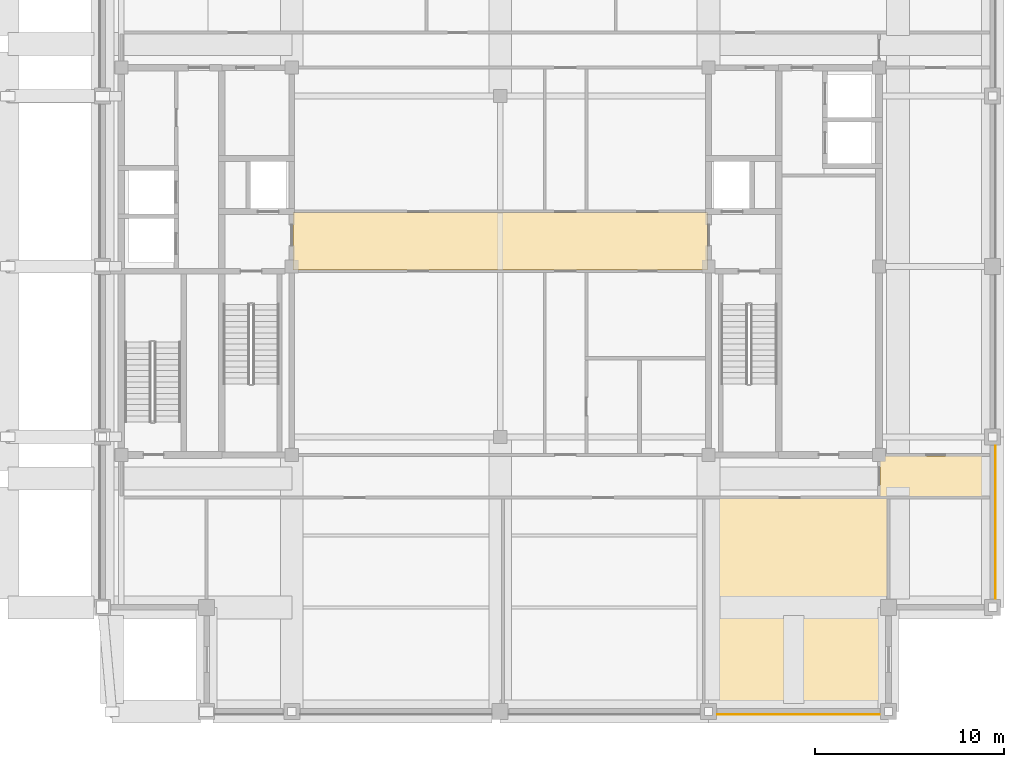
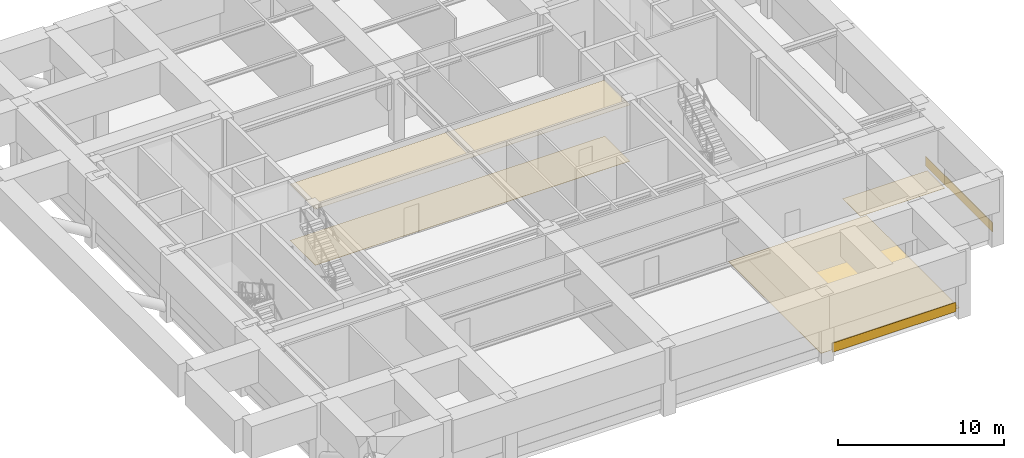
# One storey, part 9 of 11: 6 coverings.
"""IFC4 building model written with IfcOpenShell, lengths in metres."""

from ifc_helpers import new_model, si_unit, direction, frame, frame_2d, origin, place, context, subcontext, project, spatial, polyline, rectangle, outline, extrude, material, layer, layer_set, type_object, element, save


model = new_model("IFC4")

# Units and contexts
model_context = context("Model", 3, precision=1e-05, world=origin(), true_north=direction((0.0, 1.0)))
body_context = subcontext(model_context, "Body", "Model", "MODEL_VIEW")
ifc_project = project(units=[si_unit("LENGTHUNIT", "METRE"), si_unit("AREAUNIT", "SQUARE_METRE"), si_unit("VOLUMEUNIT", "CUBIC_METRE"), si_unit("PLANEANGLEUNIT", "RADIAN"), si_unit("MASSUNIT", "GRAM", prefix="KILO")], contexts=[model_context])

# Site, building, storey
site_placement = place(None, origin())
site = spatial("IfcSite", under=ifc_project, at=site_placement, CompositionType="ELEMENT")
building_placement = place(site_placement, origin())
building = spatial("IfcBuilding", under=site, at=building_placement, Name="Zulmaris Gate Convention Tower", CompositionType="ELEMENT")
storey_placement = place(building_placement, frame((0.0, 0.0, 249.429931640625)))
storey = spatial("IfcBuildingStorey", under=building, at=storey_placement, Name="L66", CompositionType="ELEMENT", Elevation=249.429931640625)

# Coverings
ifc_material_1 = material(Name="Precast concrete C40/50", Category="concrete")
ifc_layer_1 = layer(ifc_material_1, 0.0400390625, Name="Precast concrete C40/50")
ifc_layer_set_1 = layer_set([ifc_layer_1], Name="Precast concrete C40/50")
covering_type_1 = type_object("IfcCoveringType", Name="CLAD-SPANDREL-PRECAST", PredefinedType="CLADDING", material=ifc_layer_set_1)
covering_1_placement = place(storey_placement, frame((11.455078125, -23.64990234375, 0.0), z_axis=(0.0, 0.0, 1.0), x_axis=(1.0, 0.0, 0.0)))
element("IfcCovering", 1, at=covering_1_placement, inside=storey, type_object=covering_type_1, Name="CLD-L66-S-3_0", PredefinedType="CLADDING", context=body_context, shape_type="SweptSolid", body=[
    extrude(rectangle(XDim=8.58984375, YDim=0.0400390625, at=frame_2d((4.294921875, 0.0))), origin(), (0.0, 0.0, 1.0), 0.679931640625),
])
covering_2_placement = place(storey_placement, frame((26.14990234375, -17.544921875, 0.0), z_axis=(0.0, 0.0, 1.0), x_axis=(0.0, 1.0, 0.0)))
element("IfcCovering", 2, at=covering_2_placement, inside=storey, type_object=covering_type_1, Name="CLD-L66-E-0_0", PredefinedType="CLADDING", context=body_context, shape_type="SweptSolid", body=[
    extrude(rectangle(XDim=8.08984375, YDim=0.0400390625, at=frame_2d((4.044921875, 0.0))), origin(), (0.0, 0.0, 1.0), 0.679931640625),
])
ifc_material_2 = material(Name="Mineral Fibre Acoustic Ceiling Tile")
ifc_layer_2 = layer(ifc_material_2, 0.02001953125, Name="Mineral Fibre Acoustic Ceiling Tile")
ifc_layer_set_2 = layer_set([ifc_layer_2], Name="Mineral Fibre Acoustic Ceiling Tile")
covering_type_2 = type_object("IfcCoveringType", Name="CLG-ACOUSTIC-600", PredefinedType="CEILING", material=ifc_layer_set_2)
covering_3_placement = place(storey_placement, frame((0.0, 0.0, 4.133056640625)))
element("IfcCovering", 3, at=covering_3_placement, inside=storey, type_object=covering_type_2, Name="CLG-L66-R25", PredefinedType="CEILING", context=body_context, shape_type="SweptSolid", body=[
    extrude(outline(polyline([(-10.93994140625, -0.18994140625), (10.93994140625, -0.18994140625), (10.93994140625, 2.840087890625), (-10.93994140625, 2.840087890625), (-10.93994140625, -0.18994140625)])), origin(), (0.0, 0.0, 1.0), 0.02001953125),
])
ifc_material_3 = material(Name="Woven Acoustic Wool Carpet Tile")
ifc_layer_3 = layer(ifc_material_3, 0.02001953125, Name="Woven Acoustic Wool Carpet Tile")
ifc_layer_set_3 = layer_set([ifc_layer_3], Name="Woven Acoustic Wool Carpet Tile")
covering_type_3 = type_object("IfcCoveringType", Name="FLR-CARPET-12", PredefinedType="FLOORING", material=ifc_layer_set_3)
covering_4_placement = place(storey_placement, origin())
element("IfcCovering", 4, at=covering_4_placement, inside=storey, type_object=covering_type_3, Name="FLR-L66-R25", PredefinedType="FLOORING", context=body_context, shape_type="SweptSolid", body=[
    extrude(outline(polyline([(-10.93994140625, -0.18994140625), (10.93994140625, -0.18994140625), (10.93994140625, 2.840087890625), (-10.93994140625, 2.840087890625), (-10.93994140625, -0.18994140625)])), origin(), (0.0, 0.0, 1.0), 0.02001953125),
])
covering_5_placement = place(storey_placement, origin())
element("IfcCovering", 5, at=covering_5_placement, inside=storey, type_object=covering_type_3, Name="FLR-L66-R33", PredefinedType="FLOORING", context=body_context, shape_type="SweptSolid", body=[
    extrude(outline(polyline([(10.81005859375, -23.43994140625), (20.43994140625, -23.43994140625), (20.43994140625, -12.260009765625), (10.81005859375, -12.260009765625), (10.81005859375, -23.43994140625)])), origin(), (0.0, 0.0, 1.0), 0.02001953125),
])
covering_6_placement = place(storey_placement, origin())
element("IfcCovering", 6, at=covering_6_placement, inside=storey, type_object=covering_type_3, Name="FLR-L66-R41", PredefinedType="FLOORING", context=body_context, shape_type="SweptSolid", body=[
    extrude(outline(polyline([(20.06005859375, -12.139892578125), (25.93994140625, -12.139892578125), (25.93994140625, -10.010009765625), (20.06005859375, -10.010009765625), (20.06005859375, -12.139892578125)])), origin(), (0.0, 0.0, 1.0), 0.02001953125),
])

save(model, "model.ifc")
